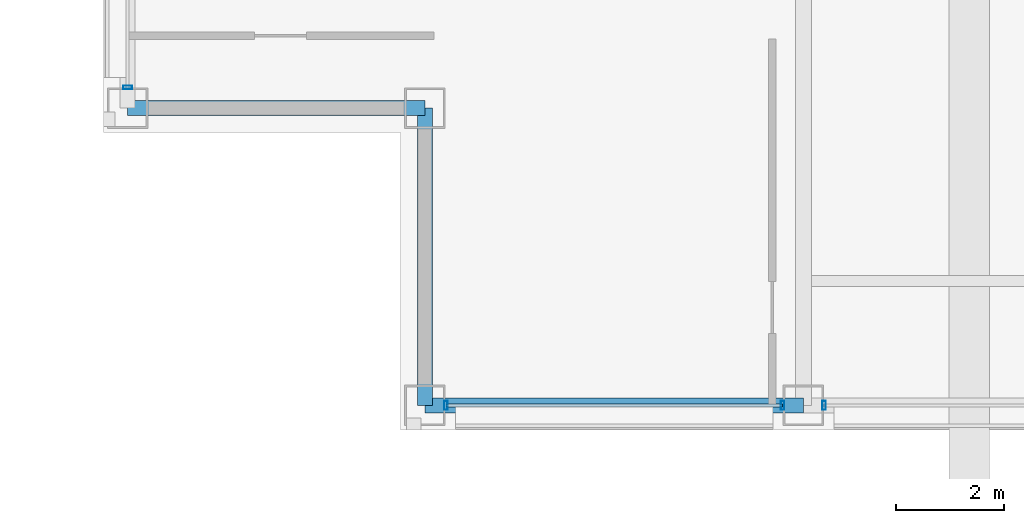
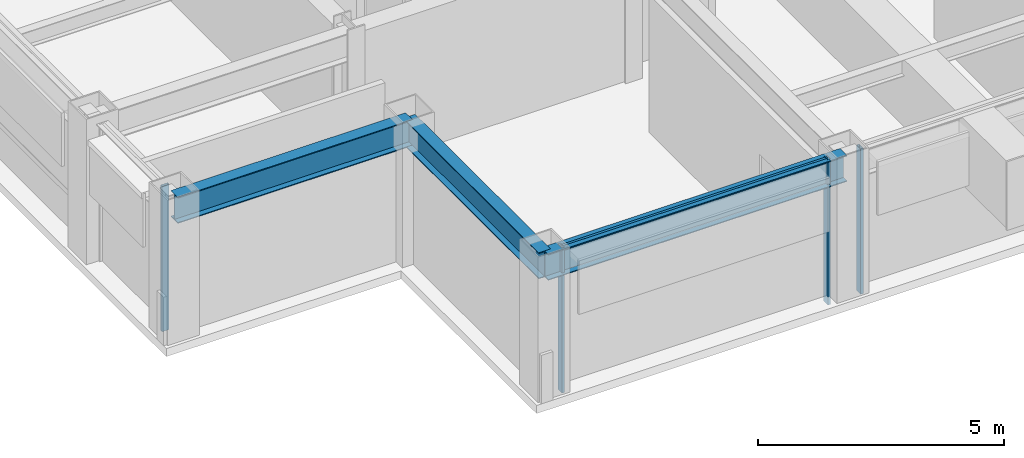
# One storey, part 2 of 28: 5 members, 3 beams, 3 elements without a shape of their own.
"""IFC4 building model written with IfcOpenShell, lengths in metres."""

from ifc_helpers import new_model, si_unit, direction, frame, origin, origin_2d, place, context, subcontext, project, spatial, hollow_rectangle, i_section, extrude, material, layer, layer_set, material_profile, profile_set, type_object, element, aggregate, save


model = new_model("IFC4")

# Units and contexts
model_context = context("Model", 3, precision=1e-05, world=origin(), true_north=direction((0.0, 1.0)))
body_context = subcontext(model_context, "Body", "Model", "MODEL_VIEW")
ifc_project = project(units=[si_unit("LENGTHUNIT", "METRE"), si_unit("AREAUNIT", "SQUARE_METRE"), si_unit("VOLUMEUNIT", "CUBIC_METRE"), si_unit("PLANEANGLEUNIT", "RADIAN"), si_unit("MASSUNIT", "GRAM", prefix="KILO")], contexts=[model_context])

# Site, building, storey
site_placement = place(None, origin())
site = spatial("IfcSite", under=ifc_project, at=site_placement, CompositionType="ELEMENT")
building_placement = place(site_placement, origin())
building = spatial("IfcBuilding", under=site, at=building_placement, Name="Brelmoor Portico Tower", CompositionType="ELEMENT")
storey_placement = place(building_placement, frame((0.0, 0.0, 155.10009765625)))
storey = spatial("IfcBuildingStorey", under=building, at=storey_placement, Name="L40", CompositionType="ELEMENT", Elevation=155.10009765625)

# Beams
ifc_material_1 = material(Name="Steel Q355B", Category="steel")
ifc_material_profile_1 = material_profile(ifc_material_1, i_section(OverallWidth=0.280029296875, OverallDepth=0.64990234375, WebThickness=0.012939453125, FlangeThickness=0.02197265625, at=origin_2d()), Name="HN 650x280x13x22")
ifc_profile_set_1 = profile_set([ifc_material_profile_1], Name="Steel Q355B")
beam_type = type_object("IfcBeamType", Name="BM-SP-650", PredefinedType="SPANDREL", material=ifc_profile_set_1)
beam_placement = place(storey_placement, frame((-15.050048828125, -18.550048828125, 3.074951171875), z_axis=(1.0, 0.0, 0.0), x_axis=(0.0, 1.0, 0.0)))
element("IfcBeam", 1, at=beam_placement, inside=storey, type_object=beam_type, Name="L40 Perimeter Spandrel Beam SP-01", PredefinedType="SPANDREL", context=body_context, shape_type="SweptSolid", body=[
    extrude(i_section(OverallWidth=0.280029296875, OverallDepth=0.64990234375, WebThickness=0.012939453125, FlangeThickness=0.02197265625, at=origin_2d()), origin(), (0.0, 0.0, 1.0), 7.0),
])
for number, where, z_axis, x_axis, name in (
    (2, (-20.550048828125, -13.050048828125, 3.074951171875), (1.0, 0.0, 0.0), (0.0, 1.0, 0.0), "L40 Perimeter Spandrel Beam SP-04"),
    (3, (-15.050048828125, -18.550048828125, 3.074951171875), (0.0, 1.0, 0.0), (-1.0, 0.0, 0.0), "L40 Perimeter Spandrel Beam SP-14"),
):
    element("IfcBeam", number, at=place(storey_placement, frame(where, z_axis=z_axis, x_axis=x_axis)), inside=storey, type_object=beam_type, Name=name, PredefinedType="SPANDREL", context=body_context, shape_type="SweptSolid", body=[
        extrude(i_section(OverallWidth=0.280029296875, OverallDepth=0.64990234375, WebThickness=0.012939453125, FlangeThickness=0.02197265625, at=origin_2d()), origin(), (0.0, 0.0, 1.0), 5.5),
    ])

# Curtain wall, members
ifc_material_2 = material(Name="Anodised Aluminium Alloy 6063-T6", Category="aluminium")
ifc_layer = layer(ifc_material_2, 0.179931640625)
ifc_layer_set = layer_set([ifc_layer], Name="Anodised Aluminium Alloy 6063-T6")
curtain_wall_type = type_object("IfcCurtainWallType", Name="CW-TOWER-Z3-XB", PredefinedType="NOTDEFINED", material=ifc_layer_set)
curtain_wall_1_placement = place(storey_placement, origin())
curtain_wall_1 = element("IfcCurtainWall", 4, at=curtain_wall_1_placement, inside=storey, type_object=curtain_wall_type, Name="L40 Curtain Wall CW-L40-01-1", PredefinedType="NOTDEFINED")
ifc_material_profile_2 = material_profile(ifc_material_2, hollow_rectangle(XDim=0.06494140625, YDim=0.1650390625, WallThickness=0.00390625, at=origin_2d()), Name="ALU MULLION 65x165")
ifc_profile_set_2 = profile_set([ifc_material_profile_2], Name="Anodised Aluminium Alloy 6063-T6")
member_type_1 = type_object("IfcMemberType", Name="MB-CW-MULL-165", PredefinedType="MULLION", material=ifc_profile_set_2)
member_1_placement = place(storey_placement, frame((-14.6650390625, -18.550048828125, -0.2001953125), z_axis=(0.0, 0.0, 1.0), x_axis=(1.0, 0.0, 0.0)))
member_1 = element("IfcMember", 5, at=member_1_placement, type_object=member_type_1, Name="CW-L40-01-1 Mullion 00", PredefinedType="MULLION", context=body_context, shape_type="SweptSolid", body=[
    extrude(hollow_rectangle(XDim=0.06494140625, YDim=0.1650390625, WallThickness=0.00390625, at=origin_2d()), origin(), (0.0, 0.0, 1.0), 3.60009765625),
])
member_2_placement = place(storey_placement, frame((-8.43505859375, -18.550048828125, -0.2001953125), z_axis=(0.0, 0.0, 1.0), x_axis=(1.0, 0.0, 0.0)))
member_2 = element("IfcMember", 6, at=member_2_placement, type_object=member_type_1, Name="CW-L40-01-1 Mullion 01", PredefinedType="MULLION", context=body_context, shape_type="SweptSolid", body=[
    extrude(hollow_rectangle(XDim=0.06494140625, YDim=0.1650390625, WallThickness=0.00390625, at=origin_2d()), origin(), (0.0, 0.0, 1.0), 3.60009765625),
])

# Curtain wall, member
curtain_wall_2_placement = place(storey_placement, origin())
curtain_wall_2 = element("IfcCurtainWall", 7, at=curtain_wall_2_placement, inside=storey, type_object=curtain_wall_type, Name="L40 Curtain Wall CW-L40-01-2", PredefinedType="NOTDEFINED")
member_3_placement = place(storey_placement, frame((-7.6650390625, -18.550048828125, -0.2001953125), z_axis=(0.0, 0.0, 1.0), x_axis=(1.0, 0.0, 0.0)))
member_3 = element("IfcMember", 8, at=member_3_placement, type_object=member_type_1, Name="CW-L40-01-2 Mullion 00", PredefinedType="MULLION", context=body_context, shape_type="SweptSolid", body=[
    extrude(hollow_rectangle(XDim=0.06494140625, YDim=0.1650390625, WallThickness=0.00390625, at=origin_2d()), origin(), (0.0, 0.0, 1.0), 3.60009765625),
])
aggregate(curtain_wall_2, [member_3])

curtain_wall_3_placement = place(storey_placement, origin())
curtain_wall_3 = element("IfcCurtainWall", 9, at=curtain_wall_3_placement, inside=storey, type_object=curtain_wall_type, Name="L40 Curtain Wall CW-L40-03-1", PredefinedType="NOTDEFINED")
member_4_placement = place(storey_placement, frame((-20.550048828125, -12.6650390625, -0.2001953125), z_axis=(0.0, 0.0, 1.0), x_axis=(0.0, 1.0, 0.0)))
member_4 = element("IfcMember", 10, at=member_4_placement, type_object=member_type_1, Name="CW-L40-03-1 Mullion 00", PredefinedType="MULLION", context=body_context, shape_type="SweptSolid", body=[
    extrude(hollow_rectangle(XDim=0.06494140625, YDim=0.1650390625, WallThickness=0.00390625, at=origin_2d()), origin(), (0.0, 0.0, 1.0), 3.60009765625),
])
aggregate(curtain_wall_3, [member_4])

# Member
ifc_material_profile_3 = material_profile(ifc_material_2, hollow_rectangle(XDim=0.06005859375, YDim=0.125, WallThickness=0.00341796875, at=origin_2d()), Name="ALU TRANSOM 60x125")
ifc_profile_set_3 = profile_set([ifc_material_profile_3], Name="Anodised Aluminium Alloy 6063-T6")
member_type_2 = type_object("IfcMemberType", Name="MB-CW-TRAN-125", PredefinedType="USERDEFINED", material=ifc_profile_set_3)
member_5_placement = place(storey_placement, frame((-14.6650390625, -18.550048828125, 3.33740234375), z_axis=(1.0, 0.0, 0.0), x_axis=(0.0, 1.0, 0.0)))
member_5 = element("IfcMember", 11, at=member_5_placement, type_object=member_type_2, Name="CW-L40-01-1 Transom 1-00", ObjectType="TRANSOM", PredefinedType="USERDEFINED", context=body_context, shape_type="SweptSolid", body=[
    extrude(hollow_rectangle(XDim=0.06005859375, YDim=0.125, WallThickness=0.00341796875, at=origin_2d()), origin(), (0.0, 0.0, 1.0), 6.22998046875),
])

aggregate(curtain_wall_1, [member_1, member_2, member_5])

save(model, "model.ifc")
